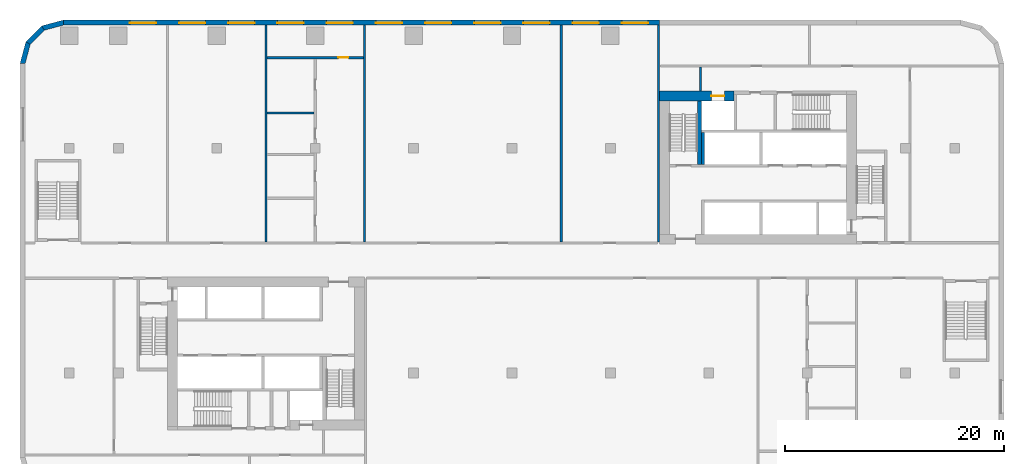
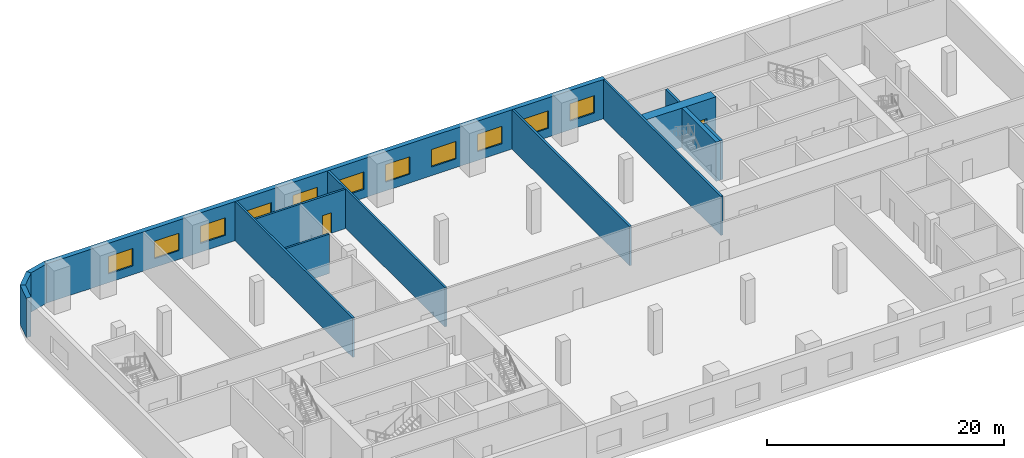
# One storey, part 5 of 15: 14 walls, 11 windows, 2 doors, 13 openings.
"""IFC4 building model written with IfcOpenShell, lengths in metres."""

from ifc_helpers import new_model, si_unit, direction, frame, frame_2d, origin, place, context, subcontext, project, spatial, polyline, rectangle, outline, extrude, material, layer, layer_set, type_object, element, fill, save


model = new_model("IFC4")

# Units and contexts
model_context = context("Model", 3, precision=1e-05, world=origin(), true_north=direction((0.0, 1.0)))
body_context = subcontext(model_context, "Body", "Model", "MODEL_VIEW")
ifc_project = project(units=[si_unit("LENGTHUNIT", "METRE"), si_unit("AREAUNIT", "SQUARE_METRE"), si_unit("VOLUMEUNIT", "CUBIC_METRE"), si_unit("PLANEANGLEUNIT", "RADIAN"), si_unit("MASSUNIT", "GRAM", prefix="KILO")], contexts=[model_context])

# Site, building, storey
site_placement = place(None, origin())
site = spatial("IfcSite", under=ifc_project, at=site_placement, CompositionType="ELEMENT")
building_placement = place(site_placement, origin())
building = spatial("IfcBuilding", under=site, at=building_placement, Name="Kajstack Hotel Tower", CompositionType="ELEMENT")
storey_placement = place(building_placement, frame((0.0, 0.0, 29.0)))
storey = spatial("IfcBuildingStorey", under=building, at=storey_placement, Name="L04", CompositionType="ELEMENT", Elevation=29.0)

# Wall, opening, door
ifc_material_1 = material(Name="Concrete C60/75", Category="concrete")
ifc_layer_1 = layer(ifc_material_1, 0.89990234375)
ifc_layer_set_1 = layer_set([ifc_layer_1], Name="Core wall 900")
wall_type_1 = type_object("IfcWallType", Name="Core wall 900", PredefinedType="SHEAR", material=ifc_layer_set_1)
wall_1_placement = place(storey_placement, frame((13.5, 15.050048828125, 0.0), z_axis=(0.0, 0.0, 1.0), x_axis=(1.0, 0.0, 0.0)))
wall_1 = element("IfcWall", 1, at=wall_1_placement, inside=storey, type_object=wall_type_1, Name="Core wall E RS", PredefinedType="SHEAR", context=body_context, shape_type="SweptSolid", body=[
    extrude(rectangle(XDim=6.800048828125, YDim=0.89990234375, at=frame_2d((3.39990234375, 0.0))), origin(), (0.0, 0.0, 1.0), 4.050048828125),
])
opening_1_placement = place(wall_1_placement, frame((4.72509765625, 0.0, 0.0)))
opening_1 = element("IfcOpeningElement", 2, at=opening_1_placement, cuts=wall_1, Name="Opening LD-SV2", PredefinedType="OPENING", context=body_context, shape_type="SweptSolid", body=[
    extrude(rectangle(XDim=1.199951171875, YDim=2.10009765625, at=frame_2d((0.60009765625, 1.050048828125))), frame((0.0, 0.4599609375, 0.0), z_axis=(0.0, -1.0, 0.0), x_axis=(1.0, 0.0, 0.0)), (0.0, 0.0, 1.0), 0.919921875),
])
ifc_material_2 = material(Name="Stainless steel", Category="steel")
door_type_1 = type_object("IfcDoorType", Name="Lift landing door 1200", OperationType="SLIDING_TO_LEFT", PredefinedType="DOOR", material=ifc_material_2)
door_1_placement = place(opening_1_placement, origin())
door_1 = element("IfcDoor", 3, at=door_1_placement, inside=storey, type_object=door_type_1, Name="Landing door SV2", OperationType="SLIDING_TO_LEFT", OverallHeight=2.10009765625, OverallWidth=1.199951171875, PredefinedType="DOOR", context=body_context, shape_type="SweptSolid", body=[
    extrude(rectangle(XDim=1.199951171875, YDim=2.10009765625, at=frame_2d((0.60009765625, 1.050048828125))), frame((0.0, 0.02490234375, 0.0), z_axis=(0.0, -1.0, 0.0), x_axis=(1.0, 0.0, 0.0)), (0.0, 0.0, 1.0), 0.050048828125),
])
fill(opening_1, door_1)

# Wall, openings, windows
ifc_material_3 = material(Name="Terracotta-faced brick masonry", Category="masonry")
ifc_layer_2 = layer(ifc_material_3, 0.449951171875)
ifc_layer_set_2 = layer_set([ifc_layer_2], Name="EW-TERRA")
wall_type_2 = type_object("IfcWallType", Name="EW-TERRA", PredefinedType="SOLIDWALL", material=ifc_layer_set_2)
wall_2_placement = place(storey_placement, frame((13.5, 21.77490234375, 0.0), z_axis=(0.0, 0.0, 1.0), x_axis=(-1.0, 0.0, 0.0)))
wall_2 = element("IfcWall", 4, at=wall_2_placement, inside=storey, type_object=wall_type_2, Name="E-wall-L04-11-02", PredefinedType="SOLIDWALL", context=body_context, shape_type="SweptSolid", body=[
    extrude(rectangle(XDim=54.5, YDim=0.449951171875, at=frame_2d((27.25, 0.0))), origin(), (0.0, 0.0, 1.0), 4.050048828125),
])
opening_2_placement = place(wall_2_placement, frame((1.050048828125, 0.0, 0.89990234375)))
opening_2 = element("IfcOpeningElement", 5, at=opening_2_placement, cuts=wall_2, Name="Opening W4", PredefinedType="OPENING", context=body_context, shape_type="SweptSolid", body=[
    extrude(rectangle(XDim=2.39990234375, YDim=1.800048828125, at=frame_2d((1.199951171875, 0.89990234375))), frame((0.0, 0.23486328125, 0.0), z_axis=(0.0, -1.0, 0.0), x_axis=(1.0, 0.0, 0.0)), (0.0, 0.0, 1.0), 0.469970703125),
])
opening_3_placement = place(wall_2_placement, frame((5.550048828125, 0.0, 0.89990234375)))
opening_3 = element("IfcOpeningElement", 6, at=opening_3_placement, cuts=wall_2, Name="Opening W4", PredefinedType="OPENING", context=body_context, shape_type="SweptSolid", body=[
    extrude(rectangle(XDim=2.39990234375, YDim=1.800048828125, at=frame_2d((1.199951171875, 0.89990234375))), frame((0.0, 0.23486328125, 0.0), z_axis=(0.0, -1.0, 0.0), x_axis=(1.0, 0.0, 0.0)), (0.0, 0.0, 1.0), 0.469970703125),
])
opening_4_placement = place(wall_2_placement, frame((10.050048828125, 0.0, 0.89990234375)))
opening_4 = element("IfcOpeningElement", 7, at=opening_4_placement, cuts=wall_2, Name="Opening W4", PredefinedType="OPENING", context=body_context, shape_type="SweptSolid", body=[
    extrude(rectangle(XDim=2.39990234375, YDim=1.800048828125, at=frame_2d((1.199951171875, 0.89990234375))), frame((0.0, 0.23486328125, 0.0), z_axis=(0.0, -1.0, 0.0), x_axis=(1.0, 0.0, 0.0)), (0.0, 0.0, 1.0), 0.469970703125),
])
opening_5_placement = place(wall_2_placement, frame((14.550048828125, 0.0, 0.89990234375)))
opening_5 = element("IfcOpeningElement", 8, at=opening_5_placement, cuts=wall_2, Name="Opening W4", PredefinedType="OPENING", context=body_context, shape_type="SweptSolid", body=[
    extrude(rectangle(XDim=2.39990234375, YDim=1.800048828125, at=frame_2d((1.199951171875, 0.89990234375))), frame((0.0, 0.23486328125, 0.0), z_axis=(0.0, -1.0, 0.0), x_axis=(1.0, 0.0, 0.0)), (0.0, 0.0, 1.0), 0.469970703125),
])
opening_6_placement = place(wall_2_placement, frame((19.050048828125, 0.0, 0.89990234375)))
opening_6 = element("IfcOpeningElement", 9, at=opening_6_placement, cuts=wall_2, Name="Opening W4", PredefinedType="OPENING", context=body_context, shape_type="SweptSolid", body=[
    extrude(rectangle(XDim=2.39990234375, YDim=1.800048828125, at=frame_2d((1.199951171875, 0.89990234375))), frame((0.0, 0.23486328125, 0.0), z_axis=(0.0, -1.0, 0.0), x_axis=(1.0, 0.0, 0.0)), (0.0, 0.0, 1.0), 0.469970703125),
])
opening_7_placement = place(wall_2_placement, frame((23.550048828125, 0.0, 0.89990234375)))
opening_7 = element("IfcOpeningElement", 10, at=opening_7_placement, cuts=wall_2, Name="Opening W4", PredefinedType="OPENING", context=body_context, shape_type="SweptSolid", body=[
    extrude(rectangle(XDim=2.39990234375, YDim=1.800048828125, at=frame_2d((1.199951171875, 0.89990234375))), frame((0.0, 0.23486328125, 0.0), z_axis=(0.0, -1.0, 0.0), x_axis=(1.0, 0.0, 0.0)), (0.0, 0.0, 1.0), 0.469970703125),
])
opening_8_placement = place(wall_2_placement, frame((28.050048828125, 0.0, 0.89990234375)))
opening_8 = element("IfcOpeningElement", 11, at=opening_8_placement, cuts=wall_2, Name="Opening W4", PredefinedType="OPENING", context=body_context, shape_type="SweptSolid", body=[
    extrude(rectangle(XDim=2.39990234375, YDim=1.800048828125, at=frame_2d((1.199951171875, 0.89990234375))), frame((0.0, 0.23486328125, 0.0), z_axis=(0.0, -1.0, 0.0), x_axis=(1.0, 0.0, 0.0)), (0.0, 0.0, 1.0), 0.469970703125),
])
opening_9_placement = place(wall_2_placement, frame((32.550048828125, 0.0, 0.89990234375)))
opening_9 = element("IfcOpeningElement", 12, at=opening_9_placement, cuts=wall_2, Name="Opening W4", PredefinedType="OPENING", context=body_context, shape_type="SweptSolid", body=[
    extrude(rectangle(XDim=2.39990234375, YDim=1.800048828125, at=frame_2d((1.199951171875, 0.89990234375))), frame((0.0, 0.23486328125, 0.0), z_axis=(0.0, -1.0, 0.0), x_axis=(1.0, 0.0, 0.0)), (0.0, 0.0, 1.0), 0.469970703125),
])
opening_10_placement = place(wall_2_placement, frame((37.050048828125, 0.0, 0.89990234375)))
opening_10 = element("IfcOpeningElement", 13, at=opening_10_placement, cuts=wall_2, Name="Opening W4", PredefinedType="OPENING", context=body_context, shape_type="SweptSolid", body=[
    extrude(rectangle(XDim=2.39990234375, YDim=1.800048828125, at=frame_2d((1.199951171875, 0.89990234375))), frame((0.0, 0.23486328125, 0.0), z_axis=(0.0, -1.0, 0.0), x_axis=(1.0, 0.0, 0.0)), (0.0, 0.0, 1.0), 0.469970703125),
])
opening_11_placement = place(wall_2_placement, frame((41.550048828125, 0.0, 0.89990234375)))
opening_11 = element("IfcOpeningElement", 14, at=opening_11_placement, cuts=wall_2, Name="Opening W4", PredefinedType="OPENING", context=body_context, shape_type="SweptSolid", body=[
    extrude(rectangle(XDim=2.39990234375, YDim=1.800048828125, at=frame_2d((1.199951171875, 0.89990234375))), frame((0.0, 0.23486328125, 0.0), z_axis=(0.0, -1.0, 0.0), x_axis=(1.0, 0.0, 0.0)), (0.0, 0.0, 1.0), 0.469970703125),
])
opening_12_placement = place(wall_2_placement, frame((46.050048828125, 0.0, 0.89990234375)))
opening_12 = element("IfcOpeningElement", 15, at=opening_12_placement, cuts=wall_2, Name="Opening W4", PredefinedType="OPENING", context=body_context, shape_type="SweptSolid", body=[
    extrude(rectangle(XDim=2.39990234375, YDim=1.800048828125, at=frame_2d((1.199951171875, 0.89990234375))), frame((0.0, 0.23486328125, 0.0), z_axis=(0.0, -1.0, 0.0), x_axis=(1.0, 0.0, 0.0)), (0.0, 0.0, 1.0), 0.469970703125),
])
ifc_material_4 = material(Name="Timber-aluminium window, triple glazed", Category="wood")
window_type = type_object("IfcWindowType", Name="WP1", PartitioningType="SINGLE_PANEL", PredefinedType="WINDOW", material=ifc_material_4)
window_1_placement = place(opening_2_placement, origin())
window_1 = element("IfcWindow", 16, at=window_1_placement, inside=storey, type_object=window_type, Name="Window W4 L04-11", OverallHeight=1.800048828125, OverallWidth=2.39990234375, PartitioningType="SINGLE_PANEL", PredefinedType="WINDOW", context=body_context, shape_type="SweptSolid", body=[
    extrude(rectangle(XDim=2.39990234375, YDim=1.800048828125, at=frame_2d((1.199951171875, 0.89990234375))), frame((0.0, 0.090087890625, 0.0), z_axis=(0.0, -1.0, 0.0), x_axis=(1.0, 0.0, 0.0)), (0.0, 0.0, 1.0), 0.06005859375),
])
fill(opening_2, window_1)
window_2_placement = place(opening_3_placement, origin())
window_2 = element("IfcWindow", 17, at=window_2_placement, inside=storey, type_object=window_type, Name="Window W4 L04-11", OverallHeight=1.800048828125, OverallWidth=2.39990234375, PartitioningType="SINGLE_PANEL", PredefinedType="WINDOW", context=body_context, shape_type="SweptSolid", body=[
    extrude(rectangle(XDim=2.39990234375, YDim=1.800048828125, at=frame_2d((1.199951171875, 0.89990234375))), frame((0.0, 0.090087890625, 0.0), z_axis=(0.0, -1.0, 0.0), x_axis=(1.0, 0.0, 0.0)), (0.0, 0.0, 1.0), 0.06005859375),
])
fill(opening_3, window_2)
window_3_placement = place(opening_4_placement, origin())
window_3 = element("IfcWindow", 18, at=window_3_placement, inside=storey, type_object=window_type, Name="Window W4 L04-11", OverallHeight=1.800048828125, OverallWidth=2.39990234375, PartitioningType="SINGLE_PANEL", PredefinedType="WINDOW", context=body_context, shape_type="SweptSolid", body=[
    extrude(rectangle(XDim=2.39990234375, YDim=1.800048828125, at=frame_2d((1.199951171875, 0.89990234375))), frame((0.0, 0.090087890625, 0.0), z_axis=(0.0, -1.0, 0.0), x_axis=(1.0, 0.0, 0.0)), (0.0, 0.0, 1.0), 0.06005859375),
])
fill(opening_4, window_3)
window_4_placement = place(opening_5_placement, origin())
window_4 = element("IfcWindow", 19, at=window_4_placement, inside=storey, type_object=window_type, Name="Window W4 L04-11", OverallHeight=1.800048828125, OverallWidth=2.39990234375, PartitioningType="SINGLE_PANEL", PredefinedType="WINDOW", context=body_context, shape_type="SweptSolid", body=[
    extrude(rectangle(XDim=2.39990234375, YDim=1.800048828125, at=frame_2d((1.199951171875, 0.89990234375))), frame((0.0, 0.090087890625, 0.0), z_axis=(0.0, -1.0, 0.0), x_axis=(1.0, 0.0, 0.0)), (0.0, 0.0, 1.0), 0.06005859375),
])
fill(opening_5, window_4)
window_5_placement = place(opening_6_placement, origin())
window_5 = element("IfcWindow", 20, at=window_5_placement, inside=storey, type_object=window_type, Name="Window W4 L04-11", OverallHeight=1.800048828125, OverallWidth=2.39990234375, PartitioningType="SINGLE_PANEL", PredefinedType="WINDOW", context=body_context, shape_type="SweptSolid", body=[
    extrude(rectangle(XDim=2.39990234375, YDim=1.800048828125, at=frame_2d((1.199951171875, 0.89990234375))), frame((0.0, 0.090087890625, 0.0), z_axis=(0.0, -1.0, 0.0), x_axis=(1.0, 0.0, 0.0)), (0.0, 0.0, 1.0), 0.06005859375),
])
fill(opening_6, window_5)
window_6_placement = place(opening_7_placement, origin())
window_6 = element("IfcWindow", 21, at=window_6_placement, inside=storey, type_object=window_type, Name="Window W4 L04-11", OverallHeight=1.800048828125, OverallWidth=2.39990234375, PartitioningType="SINGLE_PANEL", PredefinedType="WINDOW", context=body_context, shape_type="SweptSolid", body=[
    extrude(rectangle(XDim=2.39990234375, YDim=1.800048828125, at=frame_2d((1.199951171875, 0.89990234375))), frame((0.0, 0.090087890625, 0.0), z_axis=(0.0, -1.0, 0.0), x_axis=(1.0, 0.0, 0.0)), (0.0, 0.0, 1.0), 0.06005859375),
])
fill(opening_7, window_6)
window_7_placement = place(opening_8_placement, origin())
window_7 = element("IfcWindow", 22, at=window_7_placement, inside=storey, type_object=window_type, Name="Window W4 L04-11", OverallHeight=1.800048828125, OverallWidth=2.39990234375, PartitioningType="SINGLE_PANEL", PredefinedType="WINDOW", context=body_context, shape_type="SweptSolid", body=[
    extrude(rectangle(XDim=2.39990234375, YDim=1.800048828125, at=frame_2d((1.199951171875, 0.89990234375))), frame((0.0, 0.090087890625, 0.0), z_axis=(0.0, -1.0, 0.0), x_axis=(1.0, 0.0, 0.0)), (0.0, 0.0, 1.0), 0.06005859375),
])
fill(opening_8, window_7)
window_8_placement = place(opening_9_placement, origin())
window_8 = element("IfcWindow", 23, at=window_8_placement, inside=storey, type_object=window_type, Name="Window W4 L04-11", OverallHeight=1.800048828125, OverallWidth=2.39990234375, PartitioningType="SINGLE_PANEL", PredefinedType="WINDOW", context=body_context, shape_type="SweptSolid", body=[
    extrude(rectangle(XDim=2.39990234375, YDim=1.800048828125, at=frame_2d((1.199951171875, 0.89990234375))), frame((0.0, 0.090087890625, 0.0), z_axis=(0.0, -1.0, 0.0), x_axis=(1.0, 0.0, 0.0)), (0.0, 0.0, 1.0), 0.06005859375),
])
fill(opening_9, window_8)
window_9_placement = place(opening_10_placement, origin())
window_9 = element("IfcWindow", 24, at=window_9_placement, inside=storey, type_object=window_type, Name="Window W4 L04-11", OverallHeight=1.800048828125, OverallWidth=2.39990234375, PartitioningType="SINGLE_PANEL", PredefinedType="WINDOW", context=body_context, shape_type="SweptSolid", body=[
    extrude(rectangle(XDim=2.39990234375, YDim=1.800048828125, at=frame_2d((1.199951171875, 0.89990234375))), frame((0.0, 0.090087890625, 0.0), z_axis=(0.0, -1.0, 0.0), x_axis=(1.0, 0.0, 0.0)), (0.0, 0.0, 1.0), 0.06005859375),
])
fill(opening_10, window_9)
window_10_placement = place(opening_11_placement, origin())
window_10 = element("IfcWindow", 25, at=window_10_placement, inside=storey, type_object=window_type, Name="Window W4 L04-11", OverallHeight=1.800048828125, OverallWidth=2.39990234375, PartitioningType="SINGLE_PANEL", PredefinedType="WINDOW", context=body_context, shape_type="SweptSolid", body=[
    extrude(rectangle(XDim=2.39990234375, YDim=1.800048828125, at=frame_2d((1.199951171875, 0.89990234375))), frame((0.0, 0.090087890625, 0.0), z_axis=(0.0, -1.0, 0.0), x_axis=(1.0, 0.0, 0.0)), (0.0, 0.0, 1.0), 0.06005859375),
])
fill(opening_11, window_10)
window_11_placement = place(opening_12_placement, origin())
window_11 = element("IfcWindow", 26, at=window_11_placement, inside=storey, type_object=window_type, Name="Window W4 L04-11", OverallHeight=1.800048828125, OverallWidth=2.39990234375, PartitioningType="SINGLE_PANEL", PredefinedType="WINDOW", context=body_context, shape_type="SweptSolid", body=[
    extrude(rectangle(XDim=2.39990234375, YDim=1.800048828125, at=frame_2d((1.199951171875, 0.89990234375))), frame((0.0, 0.090087890625, 0.0), z_axis=(0.0, -1.0, 0.0), x_axis=(1.0, 0.0, 0.0)), (0.0, 0.0, 1.0), 0.06005859375),
])
fill(opening_12, window_11)

# Walls
wall_3_placement = place(storey_placement, frame((-40.941650390625, 21.78271484375, 0.0), z_axis=(0.0, 0.0, 1.0), x_axis=(-0.965926999034, -0.25881466832, 0.0)))
element("IfcWall", 27, at=wall_3_placement, inside=storey, type_object=wall_type_2, Name="E-wall-L04-12-00", PredefinedType="SOLIDWALL", context=body_context, shape_type="SweptSolid", body=[
    extrude(outline(polyline([(0.000244140625, -0.22509765625), (2.070556640625, -0.224853515625), (1.9501953125, 0.22509765625), (0.12060546875, 0.22509765625), (0.000244140625, -0.22509765625)])), origin(), (0.0, 0.0, 1.0), 4.050048828125),
])
wall_4_placement = place(storey_placement, frame((-42.8408203125, 21.304931640625, 0.0), z_axis=(0.0, 0.0, 1.0), x_axis=(-0.707106781187, -0.707106781187, 0.0)))
element("IfcWall", 28, at=wall_4_placement, inside=storey, type_object=wall_type_2, Name="E-wall-L04-13-00", PredefinedType="SOLIDWALL", context=body_context, shape_type="SweptSolid", body=[
    extrude(outline(polyline([(0.0, -0.22509765625), (2.070556640625, -0.22509765625), (1.949951171875, 0.224853515625), (0.12060546875, 0.224853515625), (0.0, -0.22509765625)])), origin(), (0.0, 0.0, 1.0), 4.050048828125),
])
wall_5_placement = place(storey_placement, frame((-44.246826171875, 19.941650390625, 0.0), z_axis=(0.0, 0.0, 1.0), x_axis=(-0.25881466832, -0.965926999034, 0.0)))
element("IfcWall", 29, at=wall_5_placement, inside=storey, type_object=wall_type_2, Name="E-wall-L04-14-00", PredefinedType="SOLIDWALL", context=body_context, shape_type="SweptSolid", body=[
    extrude(outline(polyline([(-0.000244140625, -0.224853515625), (2.0703125, -0.22509765625), (1.949951171875, 0.22509765625), (0.120361328125, 0.22509765625), (-0.000244140625, -0.224853515625)])), origin(), (0.0, 0.0, 1.0), 4.050048828125),
])
ifc_material_5 = material(Name="Gypsum board on steel studs, mineral wool", Category="steel")
ifc_layer_3 = layer(ifc_material_5, 0.199951171875)
ifc_layer_set_3 = layer_set([ifc_layer_3], Name="Public partition 200")
wall_type_3 = type_object("IfcWallType", Name="Public partition 200", PredefinedType="PARTITIONING", material=ifc_layer_set_3)
for number, where, z_axis, x_axis, name in (
    (30, (4.5, 1.699951171875, 0.0), (0.0, 0.0, 1.0), (0.0, 1.0, 0.0), "Partition PX0"),
    (31, (-13.5, 1.699951171875, 0.0), (0.0, 0.0, 1.0), (0.0, 1.0, 0.0), "Partition PX1"),
):
    element("IfcWall", number, at=place(storey_placement, frame(where, z_axis=z_axis, x_axis=x_axis)), inside=storey, type_object=wall_type_3, Name=name, PredefinedType="PARTITIONING", context=body_context, shape_type="SweptSolid", body=[
        extrude(rectangle(XDim=19.85009765625, YDim=0.199951171875, at=frame_2d((9.925048828125, 0.0))), origin(), (0.0, 0.0, 1.0), 4.050048828125),
    ])
wall_6_placement = place(storey_placement, frame((-22.39990234375, 13.5, 0.0), z_axis=(0.0, 0.0, 1.0), x_axis=(1.0, 0.0, 0.0)))
element("IfcWall", 32, at=wall_6_placement, inside=storey, type_object=wall_type_3, Name="Partition C2wP2", PredefinedType="PARTITIONING", context=body_context, shape_type="SweptSolid", body=[
    extrude(rectangle(XDim=4.2998046875, YDim=0.199951171875, at=frame_2d((2.14990234375, 0.0))), origin(), (0.0, 0.0, 1.0), 4.050048828125),
])

# Wall, opening, door
wall_7_placement = place(storey_placement, frame((-22.39990234375, 18.550048828125, 0.0), z_axis=(0.0, 0.0, 1.0), x_axis=(1.0, 0.0, 0.0)))
wall_7 = element("IfcWall", 33, at=wall_7_placement, inside=storey, type_object=wall_type_3, Name="Partition C2BW", PredefinedType="PARTITIONING", context=body_context, shape_type="SweptSolid", body=[
    extrude(rectangle(XDim=8.7998046875, YDim=0.199951171875, at=frame_2d((4.39990234375, 0.0))), origin(), (0.0, 0.0, 1.0), 4.050048828125),
])
opening_13_placement = place(wall_7_placement, frame((6.52490234375, 0.0, 0.0)))
opening_13 = element("IfcOpeningElement", 34, at=opening_13_placement, cuts=wall_7, Name="Opening 04P09", PredefinedType="OPENING", context=body_context, shape_type="SweptSolid", body=[
    extrude(rectangle(XDim=0.89990234375, YDim=2.10009765625, at=frame_2d((0.449951171875, 1.050048828125))), frame((0.0, 0.10986328125, 0.0), z_axis=(0.0, -1.0, 0.0), x_axis=(1.0, 0.0, 0.0)), (0.0, 0.0, 1.0), 0.219970703125),
])
ifc_material_6 = material(Name="Timber leaf", Category="wood")
door_type_2 = type_object("IfcDoorType", Name="Public room door 900", OperationType="SINGLE_SWING_LEFT", PredefinedType="DOOR", material=ifc_material_6)
door_2_placement = place(opening_13_placement, origin())
door_2 = element("IfcDoor", 35, at=door_2_placement, inside=storey, type_object=door_type_2, Name="Door 04P09", OperationType="SINGLE_SWING_LEFT", OverallHeight=2.10009765625, OverallWidth=0.89990234375, PredefinedType="DOOR", context=body_context, shape_type="SweptSolid", body=[
    extrude(rectangle(XDim=0.89990234375, YDim=2.10009765625, at=frame_2d((0.449951171875, 1.050048828125))), frame((0.0, 0.02490234375, 0.0), z_axis=(0.0, -1.0, 0.0), x_axis=(1.0, 0.0, 0.0)), (0.0, 0.0, 1.0), 0.050048828125),
])
fill(opening_13, door_2)

# Walls
for number, where, z_axis, x_axis, name in (
    (36, (-22.5, 1.699951171875, 0.0), (0.0, 0.0, 1.0), (0.0, 1.0, 0.0), "Partition PX2"),
    (37, (13.39990234375, 1.699951171875, 0.0), (0.0, 0.0, 1.0), (0.0, 1.0, 0.0), "Partition EW"),
):
    element("IfcWall", number, at=place(storey_placement, frame(where, z_axis=z_axis, x_axis=x_axis)), inside=storey, type_object=wall_type_3, Name=name, PredefinedType="PARTITIONING", context=body_context, shape_type="SweptSolid", body=[
        extrude(rectangle(XDim=19.85009765625, YDim=0.199951171875, at=frame_2d((9.925048828125, 0.0))), origin(), (0.0, 0.0, 1.0), 4.050048828125),
    ])
ifc_layer_4 = layer(ifc_material_5, 0.199951171875)
ifc_layer_set_4 = layer_set([ifc_layer_4], Name="Service partition 200")
wall_type_4 = type_object("IfcWallType", Name="Service partition 200", PredefinedType="PARTITIONING", material=ifc_layer_set_4)
wall_8_placement = place(storey_placement, frame((17.25, 15.5, 0.0), z_axis=(0.0, 0.0, 1.0), x_axis=(0.0, 1.0, 0.0)))
element("IfcWall", 38, at=wall_8_placement, inside=storey, type_object=wall_type_4, Name="Partition E SCE", PredefinedType="PARTITIONING", context=body_context, shape_type="SweptSolid", body=[
    extrude(rectangle(XDim=2.199951171875, YDim=0.199951171875, at=frame_2d((1.10009765625, 0.0))), origin(), (0.0, 0.0, 1.0), 4.050048828125),
])
ifc_material_7 = material(Name="Concrete C50/60", Category="concrete")
ifc_layer_5 = layer(ifc_material_7, 0.25)
ifc_layer_set_5 = layer_set([ifc_layer_5], Name="Shaft wall 250")
wall_type_5 = type_object("IfcWallType", Name="Shaft wall 250", PredefinedType="SHEAR", material=ifc_layer_set_5)
wall_9_placement = place(storey_placement, frame((17.47509765625, 8.800048828125, 0.0), z_axis=(0.0, 0.0, 1.0), x_axis=(0.0, 1.0, 0.0)))
element("IfcWall", 39, at=wall_9_placement, inside=storey, type_object=wall_type_5, Name="Core wall E BE", PredefinedType="SHEAR", context=body_context, shape_type="SweptSolid", body=[
    extrude(rectangle(XDim=2.89990234375, YDim=0.25, at=frame_2d((1.449951171875, 0.0))), origin(), (0.0, 0.0, 1.0), 4.050048828125),
])
ifc_layer_6 = layer(ifc_material_7, 0.39990234375)
ifc_layer_set_6 = layer_set([ifc_layer_6], Name="Stair wall 400")
wall_type_6 = type_object("IfcWallType", Name="Stair wall 400", PredefinedType="SHEAR", material=ifc_layer_set_6)
wall_10_placement = place(storey_placement, frame((17.14990234375, 8.800048828125, 0.0), z_axis=(0.0, 0.0, 1.0), x_axis=(0.0, 1.0, 0.0)))
element("IfcWall", 40, at=wall_10_placement, inside=storey, type_object=wall_type_6, Name="Core wall E WW2", PredefinedType="SHEAR", context=body_context, shape_type="SweptSolid", body=[
    extrude(rectangle(XDim=5.800048828125, YDim=0.39990234375, at=frame_2d((2.89990234375, 0.0))), origin(), (0.0, 0.0, 1.0), 4.050048828125),
])

save(model, "model.ifc")
